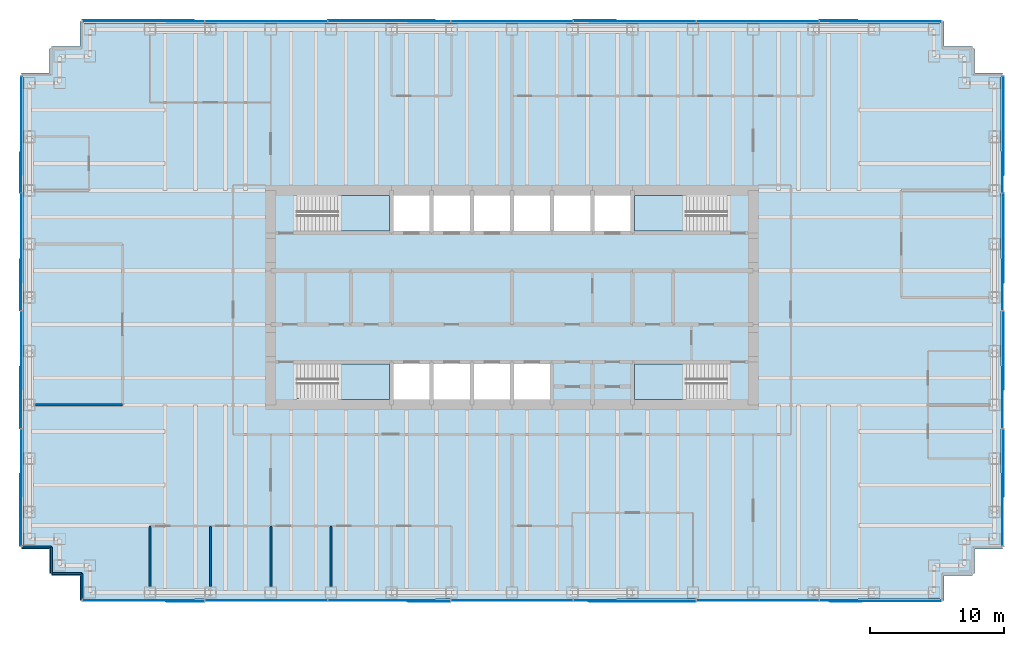
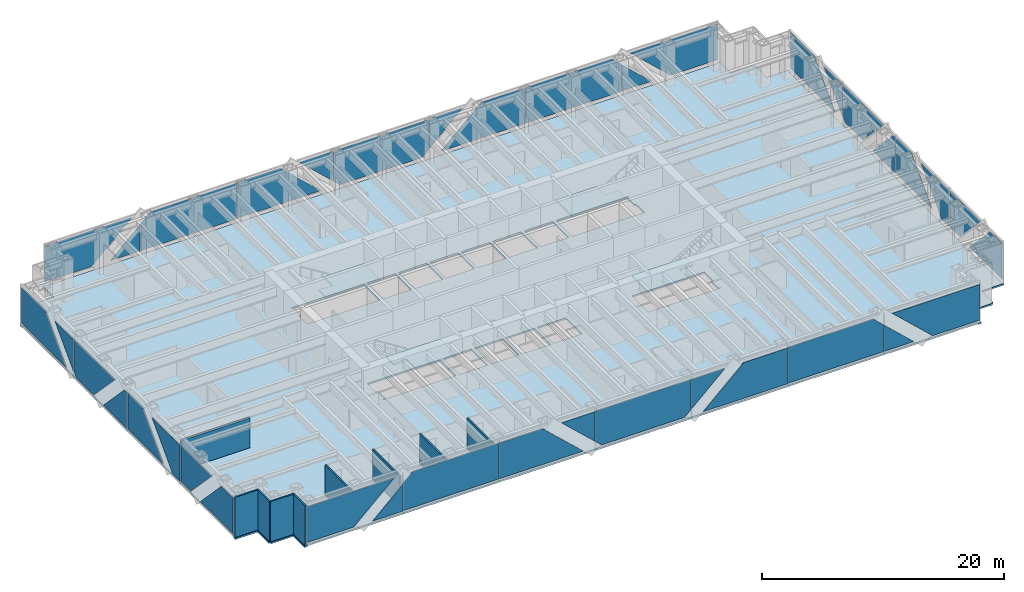
# One storey, part 10 of 15: 38 plates, 9 walls, 5 slabs, 8 elements without a shape of their own.
"""IFC4 building model written with IfcOpenShell, lengths in metres."""

from ifc_helpers import new_model, si_unit, direction, frame, frame_2d, origin, place, context, subcontext, project, spatial, polyline, rectangle, outline, extrude, material, layer, layer_set, type_object, element, aggregate, save


model = new_model("IFC4")

# Units and contexts
model_context = context("Model", 3, precision=1e-05, world=origin(), true_north=direction((0.0, 1.0)))
body_context = subcontext(model_context, "Body", "Model", "MODEL_VIEW")
ifc_project = project(units=[si_unit("LENGTHUNIT", "METRE"), si_unit("AREAUNIT", "SQUARE_METRE"), si_unit("VOLUMEUNIT", "CUBIC_METRE"), si_unit("PLANEANGLEUNIT", "RADIAN"), si_unit("MASSUNIT", "GRAM", prefix="KILO")], contexts=[model_context])

# Site, building, storey
site_placement = place(None, origin())
site = spatial("IfcSite", under=ifc_project, at=site_placement, CompositionType="ELEMENT")
building_placement = place(site_placement, origin())
building = spatial("IfcBuilding", under=site, at=building_placement, Name="Rheinbord Bourse Tower", CompositionType="ELEMENT")
storey_placement = place(building_placement, frame((0.0, 0.0, 248.800048828125)))
storey = spatial("IfcBuildingStorey", under=building, at=storey_placement, Name="L56", CompositionType="ELEMENT", Elevation=248.800048828125)

# Slab
ifc_material_1 = material(Name="Concrete C30/37", Category="concrete")
ifc_layer_1 = layer(ifc_material_1, 0.159912109375)
ifc_layer_set_1 = layer_set([ifc_layer_1], Name="COMPOSITE FLOOR SLAB 160")
slab_type_1 = type_object("IfcSlabType", Name="COMPOSITE FLOOR SLAB 160", PredefinedType="FLOOR", material=ifc_layer_set_1)
slab_1_placement = place(storey_placement, frame((0.0, 0.0, -0.16015625)))
element("IfcSlab", 1, at=slab_1_placement, inside=storey, type_object=slab_type_1, Name="Floor slab L56", PredefinedType="FLOOR", context=body_context, shape_type="SweptSolid", body=[
    extrude(outline(polyline([(1.64990234375, 3.39990234375), (1.5, 3.39990234375), (1.5, 5.25), (-0.60009765625, 5.25), (-0.60009765625, 5.550048828125), (-0.5, 5.550048828125), (-0.5, 40.449951171875), (-0.60009765625, 40.449951171875), (-0.60009765625, 40.75), (1.5, 40.75), (1.5, 42.60009765625), (1.64990234375, 42.60009765625), (1.64990234375, 42.75), (3.75, 42.75), (3.75, 44.60009765625), (4.050048828125, 44.60009765625), (4.050048828125, 44.5), (67.949951171875, 44.5), (67.949951171875, 44.60009765625), (68.25, 44.60009765625), (68.25, 42.75), (70.35009765625, 42.75), (70.35009765625, 42.60009765625), (70.5, 42.60009765625), (70.5, 40.75), (72.60009765625, 40.75), (72.60009765625, 40.449951171875), (72.5, 40.449951171875), (72.5, 5.550048828125), (72.60009765625, 5.550048828125), (72.60009765625, 5.25), (70.5, 5.25), (70.5, 3.39990234375), (70.35009765625, 3.39990234375), (70.35009765625, 3.25), (68.25, 3.25), (68.25, 1.39990234375), (67.949951171875, 1.39990234375), (67.949951171875, 1.5), (4.050048828125, 1.5), (4.050048828125, 1.39990234375), (3.75, 1.39990234375), (3.75, 3.25), (1.64990234375, 3.25), (1.64990234375, 3.39990234375)]), holes=[polyline([(19.949951171875, 19.050048828125), (26.85009765625, 19.050048828125), (26.85009765625, 16.39990234375), (19.949951171875, 16.39990234375), (19.949951171875, 16.449951171875), (20.10009765625, 16.449951171875), (20.10009765625, 17.64990234375), (19.949951171875, 17.64990234375), (19.949951171875, 19.050048828125)]), polyline([(19.949951171875, 31.60009765625), (26.85009765625, 31.60009765625), (26.85009765625, 28.949951171875), (19.949951171875, 28.949951171875), (19.949951171875, 30.35009765625), (20.10009765625, 30.35009765625), (20.10009765625, 31.550048828125), (19.949951171875, 31.550048828125), (19.949951171875, 31.60009765625)]), polyline([(52.050048828125, 16.39990234375), (45.14990234375, 16.39990234375), (45.14990234375, 19.050048828125), (52.050048828125, 19.050048828125), (52.050048828125, 17.64990234375), (51.89990234375, 17.64990234375), (51.89990234375, 16.449951171875), (52.050048828125, 16.449951171875), (52.050048828125, 16.39990234375)]), polyline([(52.050048828125, 28.949951171875), (45.14990234375, 28.949951171875), (45.14990234375, 31.60009765625), (52.050048828125, 31.60009765625), (52.050048828125, 31.550048828125), (51.89990234375, 31.550048828125), (51.89990234375, 30.35009765625), (52.050048828125, 30.35009765625), (52.050048828125, 28.949951171875)]), polyline([(27.14990234375, 16.39990234375), (27.14990234375, 19.050048828125), (29.85009765625, 19.050048828125), (29.85009765625, 16.39990234375), (27.14990234375, 16.39990234375)]), polyline([(27.14990234375, 28.949951171875), (27.14990234375, 31.60009765625), (29.85009765625, 31.60009765625), (29.85009765625, 28.949951171875), (27.14990234375, 28.949951171875)]), polyline([(30.14990234375, 16.39990234375), (30.14990234375, 19.050048828125), (32.85009765625, 19.050048828125), (32.85009765625, 16.39990234375), (30.14990234375, 16.39990234375)]), polyline([(30.14990234375, 28.949951171875), (30.14990234375, 31.60009765625), (32.85009765625, 31.60009765625), (32.85009765625, 28.949951171875), (30.14990234375, 28.949951171875)]), polyline([(33.14990234375, 16.39990234375), (33.14990234375, 19.050048828125), (35.85009765625, 19.050048828125), (35.85009765625, 16.39990234375), (33.14990234375, 16.39990234375)]), polyline([(33.14990234375, 28.949951171875), (33.14990234375, 31.60009765625), (35.85009765625, 31.60009765625), (35.85009765625, 28.949951171875), (33.14990234375, 28.949951171875)]), polyline([(36.14990234375, 16.39990234375), (36.14990234375, 19.050048828125), (38.85009765625, 19.050048828125), (38.85009765625, 16.39990234375), (36.14990234375, 16.39990234375)]), polyline([(36.14990234375, 28.949951171875), (36.14990234375, 31.60009765625), (38.85009765625, 31.60009765625), (38.85009765625, 28.949951171875), (36.14990234375, 28.949951171875)]), polyline([(39.14990234375, 28.949951171875), (39.14990234375, 31.60009765625), (41.85009765625, 31.60009765625), (41.85009765625, 28.949951171875), (39.14990234375, 28.949951171875)]), polyline([(42.14990234375, 28.949951171875), (42.14990234375, 31.60009765625), (44.85009765625, 31.60009765625), (44.85009765625, 28.949951171875), (42.14990234375, 28.949951171875)])]), origin(), (0.0, 0.0, 1.0), 0.16015625),
])

# Curtain wall, plates
ifc_material_2 = material(Name="Dark glass and black aluminium", Category="aluminium")
curtain_wall_type = type_object("IfcCurtainWallType", Name="CW2 DARK GLASS CURTAIN WALL", PredefinedType="USERDEFINED", material=ifc_material_2)
curtain_wall_1_placement = place(storey_placement, origin())
curtain_wall_1 = element("IfcCurtainWall", 2, at=curtain_wall_1_placement, inside=storey, type_object=curtain_wall_type, Name="Curtain wall CW2 S L56", ObjectType="UNITISED CURTAIN WALL", PredefinedType="USERDEFINED")
ifc_material_3 = material(Name="Dark tinted triple insulating glass", Category="glass")
ifc_layer_2 = layer(ifc_material_3, 0.050048828125)
ifc_layer_set_2 = layer_set([ifc_layer_2], Name="CW2 DARK GLASS PANEL")
plate_type = type_object("IfcPlateType", Name="CW2 DARK GLASS PANEL", PredefinedType="CURTAIN_PANEL", material=ifc_layer_set_2)
plate_1_placement = place(storey_placement, frame((3.969970703125, 1.375, 0.300048828125), z_axis=(0.0, 1.0, 0.0), x_axis=(0.0, 0.0, 1.0)))
plate_1 = element("IfcPlate", 3, at=plate_1_placement, type_object=plate_type, Name="CW2 glass facet 1", PredefinedType="CURTAIN_PANEL", context=body_context, shape_type="SweptSolid", body=[
    extrude(outline(polyline([(0.0, 0.0), (3.599853515625, 0.0), (3.599853515625, 8.322021484375), (0.0, 4.465087890625), (0.0, 0.0)])), origin(), (0.0, 0.0, 1.0), 0.050048828125),
])
plate_2_placement = place(storey_placement, frame((13.035888671875, 1.31982421875, 0.300048828125), z_axis=(0.0, 1.0, 0.0), x_axis=(-1.0, 0.0, 0.0)))
plate_2 = element("IfcPlate", 4, at=plate_2_placement, type_object=plate_type, Name="CW2 glass facet 2", PredefinedType="CURTAIN_PANEL", context=body_context, shape_type="SweptSolid", body=[
    extrude(outline(polyline([(0.0, 0.0), (2.827880859375, 0.0), (0.0, 2.639892578125), (0.0, 0.0)])), origin(), (0.0, 0.0, 1.0), 0.050048828125),
])
plate_3_placement = place(storey_placement, frame((22.2080078125, 1.375, 3.89990234375), z_axis=(0.0, 1.0, 0.0), x_axis=(0.0, 0.0, -1.0)))
plate_3 = element("IfcPlate", 5, at=plate_3_placement, type_object=plate_type, Name="CW2 glass facet 1", PredefinedType="CURTAIN_PANEL", context=body_context, shape_type="SweptSolid", body=[
    extrude(outline(polyline([(0.0, 0.0), (3.599853515625, 0.0), (3.599853515625, 9.10205078125), (0.89501953125, 9.10205078125), (0.0, 8.14306640625), (0.0, 0.0)])), origin(), (0.0, 0.0, 1.0), 0.050048828125),
])
plate_4_placement = place(storey_placement, frame((22.278076171875, 1.375, 0.300048828125), z_axis=(0.0, 1.0, 0.0), x_axis=(0.0, 0.0, 1.0)))
plate_4 = element("IfcPlate", 6, at=plate_4_placement, type_object=plate_type, Name="CW2 glass facet 1", PredefinedType="CURTAIN_PANEL", context=body_context, shape_type="SweptSolid", body=[
    extrude(outline(polyline([(0.0, 0.0), (3.599853515625, 0.0), (3.599853515625, 4.156982421875), (0.0, 8.013916015625), (0.0, 0.0)])), origin(), (0.0, 0.0, 1.0), 0.050048828125),
])
plate_5_placement = place(storey_placement, frame((31.37890625, 1.31982421875, 3.89990234375), z_axis=(0.0, 1.0, 0.0), x_axis=(0.0, 0.0, -1.0)))
plate_5 = element("IfcPlate", 7, at=plate_5_placement, type_object=plate_type, Name="CW2 glass facet 2", PredefinedType="CURTAIN_PANEL", context=body_context, shape_type="SweptSolid", body=[
    extrude(outline(polyline([(0.0, 0.0), (2.9599609375, 0.0), (0.0, 3.1708984375), (0.0, 0.0)])), origin(), (0.0, 0.0, 1.0), 0.050048828125),
])
plate_6_placement = place(storey_placement, frame((32.06494140625, 1.375, 0.300048828125), z_axis=(0.0, 1.0, 0.0), x_axis=(-0.731026361921, 0.0, 0.682349220104)))
plate_6 = element("IfcPlate", 8, at=plate_6_placement, type_object=plate_type, Name="CW2 glass facet 1", PredefinedType="CURTAIN_PANEL", context=body_context, shape_type="SweptSolid", body=[
    extrude(outline(polyline([(0.0, 0.0), (0.842529296875, 0.0), (2.90673828125, 2.211181640625), (-3.747314453125, 8.422119140625), (-5.811279296875, 6.210693359375), (-5.753173828125, 5.3701171875), (0.0, 0.0)])), origin(), (0.0, 0.0, 1.0), 0.050048828125),
])
plate_7_placement = place(storey_placement, frame((40.62109375, 1.375, 3.89990234375), z_axis=(0.0, 1.0, 0.0), x_axis=(1.0, 0.0, 0.0)))
plate_7 = element("IfcPlate", 9, at=plate_7_placement, type_object=plate_type, Name="CW2 glass facet 1", PredefinedType="CURTAIN_PANEL", context=body_context, shape_type="SweptSolid", body=[
    extrude(outline(polyline([(0.0, 0.0), (3.1708984375, 0.0), (0.0, 2.9599609375), (0.0, 0.0)])), origin(), (0.0, 0.0, 1.0), 0.050048828125),
])
plate_8_placement = place(storey_placement, frame((49.721923828125, 1.31982421875, 3.89990234375), z_axis=(0.0, 1.0, 0.0), x_axis=(0.0, 0.0, -1.0)))
plate_8 = element("IfcPlate", 10, at=plate_8_placement, type_object=plate_type, Name="CW2 glass facet 2", PredefinedType="CURTAIN_PANEL", context=body_context, shape_type="SweptSolid", body=[
    extrude(outline(polyline([(0.0, 0.0), (3.599853515625, 0.0), (3.599853515625, 8.013916015625), (0.0, 4.156982421875), (0.0, 0.0)])), origin(), (0.0, 0.0, 1.0), 0.050048828125),
])
plate_9_placement = place(storey_placement, frame((58.89404296875, 1.375, 0.300048828125), z_axis=(0.0, 1.0, 0.0), x_axis=(-1.0, 0.0, 0.0)))
plate_9 = element("IfcPlate", 11, at=plate_9_placement, type_object=plate_type, Name="CW2 glass facet 1", PredefinedType="CURTAIN_PANEL", context=body_context, shape_type="SweptSolid", body=[
    extrude(outline(polyline([(0.0, 0.0), (9.10205078125, 0.0), (9.10205078125, 3.599853515625), (0.958984375, 3.599853515625), (0.0, 2.704833984375), (0.0, 0.0)])), origin(), (0.0, 0.0, 1.0), 0.050048828125),
])
plate_10_placement = place(storey_placement, frame((58.964111328125, 1.375, 0.300048828125), z_axis=(0.0, 1.0, 0.0), x_axis=(0.0, 0.0, 1.0)))
plate_10 = element("IfcPlate", 12, at=plate_10_placement, type_object=plate_type, Name="CW2 glass facet 1", PredefinedType="CURTAIN_PANEL", context=body_context, shape_type="SweptSolid", body=[
    extrude(outline(polyline([(0.0, 0.0), (2.639892578125, 0.0), (0.0, 2.827880859375), (0.0, 0.0)])), origin(), (0.0, 0.0, 1.0), 0.050048828125),
])
plate_11_placement = place(storey_placement, frame((68.030029296875, 1.31982421875, 3.89990234375), z_axis=(0.0, 1.0, 0.0), x_axis=(0.0, 0.0, -1.0)))
plate_11 = element("IfcPlate", 13, at=plate_11_placement, type_object=plate_type, Name="CW2 glass facet 2", PredefinedType="CURTAIN_PANEL", context=body_context, shape_type="SweptSolid", body=[
    extrude(outline(polyline([(0.0, 0.0), (3.599853515625, 0.0), (3.599853515625, 4.465087890625), (0.0, 8.322021484375), (0.0, 0.0)])), origin(), (0.0, 0.0, 1.0), 0.050048828125),
])
aggregate(curtain_wall_1, [plate_1, plate_2, plate_3, plate_4, plate_5, plate_6, plate_7, plate_8, plate_9, plate_10, plate_11])

curtain_wall_2_placement = place(storey_placement, origin())
curtain_wall_2 = element("IfcCurtainWall", 14, at=curtain_wall_2_placement, inside=storey, type_object=curtain_wall_type, Name="Curtain wall CW2 E L56", ObjectType="UNITISED CURTAIN WALL", PredefinedType="USERDEFINED")
plate_12_placement = place(storey_placement, frame((72.625, 5.469970703125, 0.300048828125), z_axis=(-1.0, 0.0, 0.0), x_axis=(0.0, 0.0, 1.0)))
plate_12 = element("IfcPlate", 15, at=plate_12_placement, type_object=plate_type, Name="CW2 glass facet 1", PredefinedType="CURTAIN_PANEL", context=body_context, shape_type="SweptSolid", body=[
    extrude(outline(polyline([(0.0, 0.0), (3.599853515625, 0.0), (3.599853515625, 1.97998046875), (0.0, 5.408935546875), (0.0, 0.0)])), origin(), (0.0, 0.0, 1.0), 0.050048828125),
])
plate_13_placement = place(storey_placement, frame((72.68017578125, 14.1650390625, 3.89990234375), z_axis=(-1.0, 0.0, 0.0), x_axis=(0.0, 0.0, -1.0)))
plate_13 = element("IfcPlate", 16, at=plate_13_placement, type_object=plate_type, Name="CW2 glass facet 2", PredefinedType="CURTAIN_PANEL", context=body_context, shape_type="SweptSolid", body=[
    extrude(outline(polyline([(0.0, 0.0), (3.599853515625, 0.0), (3.599853515625, 1.614990234375), (0.0, 5.0439453125), (0.0, 0.0)])), origin(), (0.0, 0.0, 1.0), 0.050048828125),
])
plate_14_placement = place(storey_placement, frame((72.625, 14.235107421875, 0.300048828125), z_axis=(-1.0, 0.0, 0.0), x_axis=(0.0, 0.0, 1.0)))
plate_14 = element("IfcPlate", 17, at=plate_14_placement, type_object=plate_type, Name="CW2 glass facet 1", PredefinedType="CURTAIN_PANEL", context=body_context, shape_type="SweptSolid", body=[
    extrude(outline(polyline([(0.0, 0.0), (3.599853515625, 0.0), (3.599853515625, 4.643798828125), (0.0, 1.21484375), (0.0, 0.0)])), origin(), (0.0, 0.0, 1.0), 0.050048828125),
])
plate_15_placement = place(storey_placement, frame((72.68017578125, 22.965087890625, 3.89990234375), z_axis=(-1.0, 0.0, 0.0), x_axis=(0.0, 0.0, -1.0)))
plate_15 = element("IfcPlate", 18, at=plate_15_placement, type_object=plate_type, Name="CW2 glass facet 2", PredefinedType="CURTAIN_PANEL", context=body_context, shape_type="SweptSolid", body=[
    extrude(outline(polyline([(0.0, 0.0), (3.599853515625, 0.0), (3.599853515625, 5.843994140625), (0.0, 2.4150390625), (0.0, 0.0)])), origin(), (0.0, 0.0, 1.0), 0.050048828125),
])
plate_16_placement = place(storey_placement, frame((72.625, 23.034912109375, 0.300048828125), z_axis=(-1.0, 0.0, 0.0), x_axis=(0.0, 0.0, 1.0)))
plate_16 = element("IfcPlate", 19, at=plate_16_placement, type_object=plate_type, Name="CW2 glass facet 1", PredefinedType="CURTAIN_PANEL", context=body_context, shape_type="SweptSolid", body=[
    extrude(outline(polyline([(0.0, 0.0), (3.599853515625, 0.0), (3.599853515625, 0.4150390625), (0.0, 3.843994140625), (0.0, 0.0)])), origin(), (0.0, 0.0, 1.0), 0.050048828125),
])
plate_17_placement = place(storey_placement, frame((72.68017578125, 28.550048828125, 0.300048828125), z_axis=(-1.0, 0.0, 0.0), x_axis=(0.0, -0.689710350299, 0.724085376658)))
plate_17 = element("IfcPlate", 20, at=plate_17_placement, type_object=plate_type, Name="CW2 glass facet 2", PredefinedType="CURTAIN_PANEL", context=body_context, shape_type="SweptSolid", body=[
    extrude(outline(polyline([(0.0, 0.0), (4.9716796875, 0.0), (0.389404296875, 4.810791015625), (-1.977783203125, 2.555908203125), (-2.0, 2.099853515625), (0.0, 0.0)])), origin(), (0.0, 0.0, 1.0), 0.050048828125),
])
plate_18_placement = place(storey_placement, frame((72.625, 31.8349609375, 3.89990234375), z_axis=(-1.0, 0.0, 0.0), x_axis=(0.0, 1.0, 0.0)))
plate_18 = element("IfcPlate", 21, at=plate_18_placement, type_object=plate_type, Name="CW2 glass facet 1", PredefinedType="CURTAIN_PANEL", context=body_context, shape_type="SweptSolid", body=[
    extrude(outline(polyline([(0.0, 0.0), (3.0439453125, 0.0), (0.0, 3.196044921875), (0.0, 0.0)])), origin(), (0.0, 0.0, 1.0), 0.050048828125),
])
plate_19_placement = place(storey_placement, frame((72.68017578125, 40.530029296875, 3.89990234375), z_axis=(-1.0, 0.0, 0.0), x_axis=(0.0, 0.0, -1.0)))
plate_19 = element("IfcPlate", 22, at=plate_19_placement, type_object=plate_type, Name="CW2 glass facet 2", PredefinedType="CURTAIN_PANEL", context=body_context, shape_type="SweptSolid", body=[
    extrude(outline(polyline([(0.0, 0.0), (3.599853515625, 0.0), (3.599853515625, 7.408935546875), (0.0, 3.97998046875), (0.0, 0.0)])), origin(), (0.0, 0.0, 1.0), 0.050048828125),
])
aggregate(curtain_wall_2, [plate_12, plate_13, plate_14, plate_15, plate_16, plate_17, plate_18, plate_19])

curtain_wall_3_placement = place(storey_placement, origin())
curtain_wall_3 = element("IfcCurtainWall", 23, at=curtain_wall_3_placement, inside=storey, type_object=curtain_wall_type, Name="Curtain wall CW2 N L56", ObjectType="UNITISED CURTAIN WALL", PredefinedType="USERDEFINED")
plate_20_placement = place(storey_placement, frame((68.030029296875, 44.625, 0.300048828125), z_axis=(0.0, -1.0, 0.0), x_axis=(0.0, 0.0, 1.0)))
plate_20 = element("IfcPlate", 24, at=plate_20_placement, type_object=plate_type, Name="CW2 glass facet 1", PredefinedType="CURTAIN_PANEL", context=body_context, shape_type="SweptSolid", body=[
    extrude(outline(polyline([(0.0, 0.0), (3.599853515625, 0.0), (3.599853515625, 8.322021484375), (0.0, 4.465087890625), (0.0, 0.0)])), origin(), (0.0, 0.0, 1.0), 0.050048828125),
])
plate_21_placement = place(storey_placement, frame((58.964111328125, 44.68017578125, 0.300048828125), z_axis=(0.0, -1.0, 0.0), x_axis=(1.0, 0.0, 0.0)))
plate_21 = element("IfcPlate", 25, at=plate_21_placement, type_object=plate_type, Name="CW2 glass facet 2", PredefinedType="CURTAIN_PANEL", context=body_context, shape_type="SweptSolid", body=[
    extrude(outline(polyline([(0.0, 0.0), (2.827880859375, 0.0), (0.0, 2.639892578125), (0.0, 0.0)])), origin(), (0.0, 0.0, 1.0), 0.050048828125),
])
plate_22_placement = place(storey_placement, frame((49.7919921875, 44.625, 3.89990234375), z_axis=(0.0, -1.0, 0.0), x_axis=(0.0, 0.0, -1.0)))
plate_22 = element("IfcPlate", 26, at=plate_22_placement, type_object=plate_type, Name="CW2 glass facet 1", PredefinedType="CURTAIN_PANEL", context=body_context, shape_type="SweptSolid", body=[
    extrude(outline(polyline([(0.0, 0.0), (3.599853515625, 0.0), (3.599853515625, 9.10205078125), (0.89501953125, 9.10205078125), (0.0, 8.14306640625), (0.0, 0.0)])), origin(), (0.0, 0.0, 1.0), 0.050048828125),
])
plate_23_placement = place(storey_placement, frame((49.721923828125, 44.625, 0.300048828125), z_axis=(0.0, -1.0, 0.0), x_axis=(0.0, 0.0, 1.0)))
plate_23 = element("IfcPlate", 27, at=plate_23_placement, type_object=plate_type, Name="CW2 glass facet 1", PredefinedType="CURTAIN_PANEL", context=body_context, shape_type="SweptSolid", body=[
    extrude(outline(polyline([(0.0, 0.0), (3.599853515625, 0.0), (3.599853515625, 4.156982421875), (0.0, 8.013916015625), (0.0, 0.0)])), origin(), (0.0, 0.0, 1.0), 0.050048828125),
])
plate_24_placement = place(storey_placement, frame((40.62109375, 44.68017578125, 3.89990234375), z_axis=(0.0, -1.0, 0.0), x_axis=(0.0, 0.0, -1.0)))
plate_24 = element("IfcPlate", 28, at=plate_24_placement, type_object=plate_type, Name="CW2 glass facet 2", PredefinedType="CURTAIN_PANEL", context=body_context, shape_type="SweptSolid", body=[
    extrude(outline(polyline([(0.0, 0.0), (2.9599609375, 0.0), (0.0, 3.1708984375), (0.0, 0.0)])), origin(), (0.0, 0.0, 1.0), 0.050048828125),
])
plate_25_placement = place(storey_placement, frame((39.93505859375, 44.625, 0.300048828125), z_axis=(0.0, -1.0, 0.0), x_axis=(0.731026361921, 0.0, 0.682349220104)))
plate_25 = element("IfcPlate", 29, at=plate_25_placement, type_object=plate_type, Name="CW2 glass facet 1", PredefinedType="CURTAIN_PANEL", context=body_context, shape_type="SweptSolid", body=[
    extrude(outline(polyline([(0.0, 0.0), (0.842529296875, 0.0), (2.90673828125, 2.211181640625), (-3.747314453125, 8.422119140625), (-5.811279296875, 6.210693359375), (-5.753173828125, 5.3701171875), (0.0, 0.0)])), origin(), (0.0, 0.0, 1.0), 0.050048828125),
])
plate_26_placement = place(storey_placement, frame((31.37890625, 44.625, 3.89990234375), z_axis=(0.0, -1.0, 0.0), x_axis=(-1.0, 0.0, 0.0)))
plate_26 = element("IfcPlate", 30, at=plate_26_placement, type_object=plate_type, Name="CW2 glass facet 1", PredefinedType="CURTAIN_PANEL", context=body_context, shape_type="SweptSolid", body=[
    extrude(outline(polyline([(0.0, 0.0), (3.1708984375, 0.0), (0.0, 2.9599609375), (0.0, 0.0)])), origin(), (0.0, 0.0, 1.0), 0.050048828125),
])
plate_27_placement = place(storey_placement, frame((22.278076171875, 44.68017578125, 3.89990234375), z_axis=(0.0, -1.0, 0.0), x_axis=(0.0, 0.0, -1.0)))
plate_27 = element("IfcPlate", 31, at=plate_27_placement, type_object=plate_type, Name="CW2 glass facet 2", PredefinedType="CURTAIN_PANEL", context=body_context, shape_type="SweptSolid", body=[
    extrude(outline(polyline([(0.0, 0.0), (3.599853515625, 0.0), (3.599853515625, 8.013916015625), (0.0, 4.156982421875), (0.0, 0.0)])), origin(), (0.0, 0.0, 1.0), 0.050048828125),
])
plate_28_placement = place(storey_placement, frame((13.10595703125, 44.625, 0.300048828125), z_axis=(0.0, -1.0, 0.0), x_axis=(1.0, 0.0, 0.0)))
plate_28 = element("IfcPlate", 32, at=plate_28_placement, type_object=plate_type, Name="CW2 glass facet 1", PredefinedType="CURTAIN_PANEL", context=body_context, shape_type="SweptSolid", body=[
    extrude(outline(polyline([(0.0, 0.0), (9.10205078125, 0.0), (9.10205078125, 3.599853515625), (0.958984375, 3.599853515625), (0.0, 2.704833984375), (0.0, 0.0)])), origin(), (0.0, 0.0, 1.0), 0.050048828125),
])
plate_29_placement = place(storey_placement, frame((13.035888671875, 44.625, 0.300048828125), z_axis=(0.0, -1.0, 0.0), x_axis=(0.0, 0.0, 1.0)))
plate_29 = element("IfcPlate", 33, at=plate_29_placement, type_object=plate_type, Name="CW2 glass facet 1", PredefinedType="CURTAIN_PANEL", context=body_context, shape_type="SweptSolid", body=[
    extrude(outline(polyline([(0.0, 0.0), (2.639892578125, 0.0), (0.0, 2.827880859375), (0.0, 0.0)])), origin(), (0.0, 0.0, 1.0), 0.050048828125),
])
plate_30_placement = place(storey_placement, frame((3.969970703125, 44.68017578125, 3.89990234375), z_axis=(0.0, -1.0, 0.0), x_axis=(0.0, 0.0, -1.0)))
plate_30 = element("IfcPlate", 34, at=plate_30_placement, type_object=plate_type, Name="CW2 glass facet 2", PredefinedType="CURTAIN_PANEL", context=body_context, shape_type="SweptSolid", body=[
    extrude(outline(polyline([(0.0, 0.0), (3.599853515625, 0.0), (3.599853515625, 4.465087890625), (0.0, 8.322021484375), (0.0, 0.0)])), origin(), (0.0, 0.0, 1.0), 0.050048828125),
])
aggregate(curtain_wall_3, [plate_20, plate_21, plate_22, plate_23, plate_24, plate_25, plate_26, plate_27, plate_28, plate_29, plate_30])

curtain_wall_4_placement = place(storey_placement, origin())
curtain_wall_4 = element("IfcCurtainWall", 35, at=curtain_wall_4_placement, inside=storey, type_object=curtain_wall_type, Name="Curtain wall CW2 W L56", ObjectType="UNITISED CURTAIN WALL", PredefinedType="USERDEFINED")
plate_31_placement = place(storey_placement, frame((-0.625, 40.530029296875, 0.300048828125), z_axis=(1.0, 0.0, 0.0), x_axis=(0.0, 0.0, 1.0)))
plate_31 = element("IfcPlate", 36, at=plate_31_placement, type_object=plate_type, Name="CW2 glass facet 1", PredefinedType="CURTAIN_PANEL", context=body_context, shape_type="SweptSolid", body=[
    extrude(outline(polyline([(0.0, 0.0), (3.599853515625, 0.0), (3.599853515625, 3.97998046875), (0.0, 7.408935546875), (0.0, 0.0)])), origin(), (0.0, 0.0, 1.0), 0.050048828125),
])
plate_32_placement = place(storey_placement, frame((-0.68017578125, 31.8349609375, 3.89990234375), z_axis=(1.0, 0.0, 0.0), x_axis=(0.0, 0.0, -1.0)))
plate_32 = element("IfcPlate", 37, at=plate_32_placement, type_object=plate_type, Name="CW2 glass facet 2", PredefinedType="CURTAIN_PANEL", context=body_context, shape_type="SweptSolid", body=[
    extrude(outline(polyline([(0.0, 0.0), (3.196044921875, 0.0), (0.0, 3.0439453125), (0.0, 0.0)])), origin(), (0.0, 0.0, 1.0), 0.050048828125),
])
plate_33_placement = place(storey_placement, frame((-0.625, 31.449951171875, 0.300048828125), z_axis=(1.0, 0.0, 0.0), x_axis=(0.0, 0.689521691357, 0.724265032394)))
plate_33 = element("IfcPlate", 38, at=plate_33_placement, type_object=plate_type, Name="CW2 glass facet 1", PredefinedType="CURTAIN_PANEL", context=body_context, shape_type="SweptSolid", body=[
    extrude(outline(polyline([(0.0, 0.0), (0.456787109375, 0.0), (2.824462890625, 2.254150390625), (-1.756591796875, 7.06591796875), (-1.99951171875, 2.100341796875), (0.0, 0.0)])), origin(), (0.0, 0.0, 1.0), 0.050048828125),
])
plate_34_placement = place(storey_placement, frame((-0.68017578125, 23.034912109375, 3.89990234375), z_axis=(1.0, 0.0, 0.0), x_axis=(0.0, 0.0, -1.0)))
plate_34 = element("IfcPlate", 39, at=plate_34_placement, type_object=plate_type, Name="CW2 glass facet 2", PredefinedType="CURTAIN_PANEL", context=body_context, shape_type="SweptSolid", body=[
    extrude(outline(polyline([(0.0, 0.0), (3.599853515625, 0.0), (3.599853515625, 3.843994140625), (0.0, 0.4150390625), (0.0, 0.0)])), origin(), (0.0, 0.0, 1.0), 0.050048828125),
])
plate_35_placement = place(storey_placement, frame((-0.625, 22.965087890625, 0.300048828125), z_axis=(1.0, 0.0, 0.0), x_axis=(0.0, 0.0, 1.0)))
plate_35 = element("IfcPlate", 40, at=plate_35_placement, type_object=plate_type, Name="CW2 glass facet 1", PredefinedType="CURTAIN_PANEL", context=body_context, shape_type="SweptSolid", body=[
    extrude(outline(polyline([(0.0, 0.0), (3.599853515625, 0.0), (3.599853515625, 2.4150390625), (0.0, 5.843994140625), (0.0, 0.0)])), origin(), (0.0, 0.0, 1.0), 0.050048828125),
])
plate_36_placement = place(storey_placement, frame((-0.68017578125, 14.235107421875, 3.89990234375), z_axis=(1.0, 0.0, 0.0), x_axis=(0.0, 0.0, -1.0)))
plate_36 = element("IfcPlate", 41, at=plate_36_placement, type_object=plate_type, Name="CW2 glass facet 2", PredefinedType="CURTAIN_PANEL", context=body_context, shape_type="SweptSolid", body=[
    extrude(outline(polyline([(0.0, 0.0), (3.599853515625, 0.0), (3.599853515625, 1.21484375), (0.0, 4.643798828125), (0.0, 0.0)])), origin(), (0.0, 0.0, 1.0), 0.050048828125),
])
plate_37_placement = place(storey_placement, frame((-0.625, 14.1650390625, 0.300048828125), z_axis=(1.0, 0.0, 0.0), x_axis=(0.0, 0.0, 1.0)))
plate_37 = element("IfcPlate", 42, at=plate_37_placement, type_object=plate_type, Name="CW2 glass facet 1", PredefinedType="CURTAIN_PANEL", context=body_context, shape_type="SweptSolid", body=[
    extrude(outline(polyline([(0.0, 0.0), (3.599853515625, 0.0), (3.599853515625, 5.0439453125), (0.0, 1.614990234375), (0.0, 0.0)])), origin(), (0.0, 0.0, 1.0), 0.050048828125),
])
plate_38_placement = place(storey_placement, frame((-0.68017578125, 5.469970703125, 3.89990234375), z_axis=(1.0, 0.0, 0.0), x_axis=(0.0, 0.0, -1.0)))
plate_38 = element("IfcPlate", 43, at=plate_38_placement, type_object=plate_type, Name="CW2 glass facet 2", PredefinedType="CURTAIN_PANEL", context=body_context, shape_type="SweptSolid", body=[
    extrude(outline(polyline([(0.0, 0.0), (3.599853515625, 0.0), (3.599853515625, 5.408935546875), (0.0, 1.97998046875), (0.0, 0.0)])), origin(), (0.0, 0.0, 1.0), 0.050048828125),
])
aggregate(curtain_wall_4, [plate_31, plate_32, plate_33, plate_34, plate_35, plate_36, plate_37, plate_38])

# Stair, slab
ifc_material_4 = material(Name="Concrete C30/37", Category="concrete")
stair_type = type_object("IfcStairType", Name="CORE STAIR HALF TURN 4200", PredefinedType="HALF_TURN_STAIR", material=ifc_material_4)
stair_1_placement = place(storey_placement, origin())
stair_1 = element("IfcStair", 44, at=stair_1_placement, inside=storey, type_object=stair_type, Name="Stair ST1 L56, type CS6", PredefinedType="HALF_TURN_STAIR")
ifc_material_5 = material(Name="Concrete C30/37", Category="concrete")
ifc_layer_3 = layer(ifc_material_5, 0.199951171875)
ifc_layer_set_3 = layer_set([ifc_layer_3], Name="STAIR LANDING 200")
slab_type_2 = type_object("IfcSlabType", Name="STAIR LANDING 200", PredefinedType="LANDING", material=ifc_layer_set_3)
slab_2_placement = place(storey_placement, frame((0.0, 0.0, 1.89990234375)))
slab_2 = element("IfcSlab", 45, at=slab_2_placement, type_object=slab_type_2, Name="Half landing ST1 L56", PredefinedType="LANDING", context=body_context, shape_type="SweptSolid", body=[
    extrude(outline(polyline([(23.030029296875, 16.39990234375), (26.85009765625, 16.39990234375), (26.85009765625, 19.050048828125), (21.748046875, 19.050048828125), (21.748046875, 17.85009765625), (23.030029296875, 17.85009765625), (23.030029296875, 16.39990234375)])), origin(), (0.0, 0.0, 1.0), 0.199951171875),
])
aggregate(stair_1, [slab_2])

stair_2_placement = place(storey_placement, origin())
stair_2 = element("IfcStair", 46, at=stair_2_placement, inside=storey, type_object=stair_type, Name="Stair ST2 L56, type CS6", PredefinedType="HALF_TURN_STAIR")
slab_3_placement = place(storey_placement, frame((0.0, 0.0, 1.89990234375)))
slab_3 = element("IfcSlab", 47, at=slab_3_placement, type_object=slab_type_2, Name="Half landing ST2 L56", PredefinedType="LANDING", context=body_context, shape_type="SweptSolid", body=[
    extrude(outline(polyline([(21.748046875, 28.949951171875), (26.85009765625, 28.949951171875), (26.85009765625, 31.60009765625), (23.030029296875, 31.60009765625), (23.030029296875, 30.14990234375), (21.748046875, 30.14990234375), (21.748046875, 28.949951171875)])), origin(), (0.0, 0.0, 1.0), 0.199951171875),
])
aggregate(stair_2, [slab_3])

stair_3_placement = place(storey_placement, origin())
stair_3 = element("IfcStair", 48, at=stair_3_placement, inside=storey, type_object=stair_type, Name="Stair ST3 L56, type CS6", PredefinedType="HALF_TURN_STAIR")
slab_4_placement = place(storey_placement, frame((0.0, 0.0, 1.89990234375)))
slab_4 = element("IfcSlab", 49, at=slab_4_placement, type_object=slab_type_2, Name="Half landing ST3 L56", PredefinedType="LANDING", context=body_context, shape_type="SweptSolid", body=[
    extrude(outline(polyline([(45.14990234375, 16.39990234375), (48.969970703125, 16.39990234375), (48.969970703125, 17.85009765625), (50.251953125, 17.85009765625), (50.251953125, 19.050048828125), (45.14990234375, 19.050048828125), (45.14990234375, 16.39990234375)])), origin(), (0.0, 0.0, 1.0), 0.199951171875),
])
aggregate(stair_3, [slab_4])

stair_4_placement = place(storey_placement, origin())
stair_4 = element("IfcStair", 50, at=stair_4_placement, inside=storey, type_object=stair_type, Name="Stair ST4 L56, type CS6", PredefinedType="HALF_TURN_STAIR")
slab_5_placement = place(storey_placement, frame((0.0, 0.0, 1.89990234375)))
slab_5 = element("IfcSlab", 51, at=slab_5_placement, type_object=slab_type_2, Name="Half landing ST4 L56", PredefinedType="LANDING", context=body_context, shape_type="SweptSolid", body=[
    extrude(outline(polyline([(45.14990234375, 28.949951171875), (50.251953125, 28.949951171875), (50.251953125, 30.14990234375), (48.969970703125, 30.14990234375), (48.969970703125, 31.60009765625), (45.14990234375, 31.60009765625), (45.14990234375, 28.949951171875)])), origin(), (0.0, 0.0, 1.0), 0.199951171875),
])
aggregate(stair_4, [slab_5])

# Walls
ifc_material_6 = material(Name="Acoustic gypsum board partition", Category="gypsum board")
ifc_layer_4 = layer(ifc_material_6, 0.199951171875)
ifc_layer_set_4 = layer_set([ifc_layer_4], Name="ACOUSTIC PARTITION 200")
wall_type_1 = type_object("IfcWallType", Name="ACOUSTIC PARTITION 200", PredefinedType="PARTITIONING", material=ifc_layer_set_4)
wall_1_placement = place(storey_placement, frame((0.449951171875, 16.0, 0.0), z_axis=(0.0, 0.0, 1.0), x_axis=(1.0, 0.0, 0.0)))
element("IfcWall", 52, at=wall_1_placement, inside=storey, type_object=wall_type_1, Name="Partition L56-06", PredefinedType="PARTITIONING", context=body_context, shape_type="SweptSolid", body=[
    extrude(rectangle(XDim=6.5, YDim=0.199951171875, at=frame_2d((3.25, 0.0))), origin(), (0.0, 0.0, 1.0), 3.0),
])
ifc_material_7 = material(Name="Black metal rainscreen panel", Category="aluminium")
ifc_layer_5 = layer(ifc_material_7, 0.14990234375)
ifc_layer_set_5 = layer_set([ifc_layer_5], Name="CORNER PIER CLADDING 150")
wall_type_2 = type_object("IfcWallType", Name="CORNER PIER CLADDING 150", PredefinedType="ELEMENTEDWALL", material=ifc_layer_set_5)
wall_2_placement = place(storey_placement, frame((-0.60009765625, 5.39990234375, 0.0), z_axis=(0.0, 0.0, 1.0), x_axis=(1.0, 0.0, 0.0)))
element("IfcWall", 53, at=wall_2_placement, inside=storey, type_object=wall_type_2, Name="Corner pier cladding L56 17", PredefinedType="ELEMENTEDWALL", context=body_context, shape_type="SweptSolid", body=[
    extrude(rectangle(XDim=2.25, YDim=0.14990234375, at=frame_2d((1.125, 0.0))), origin(), (0.0, 0.0, 1.0), 4.0400390625),
])
wall_3_placement = place(storey_placement, frame((1.64990234375, 5.39990234375, 0.0), z_axis=(0.0, 0.0, 1.0), x_axis=(0.0, -1.0, 0.0)))
element("IfcWall", 54, at=wall_3_placement, inside=storey, type_object=wall_type_2, Name="Corner pier cladding L56 18", PredefinedType="ELEMENTEDWALL", context=body_context, shape_type="SweptSolid", body=[
    extrude(rectangle(XDim=2.0, YDim=0.14990234375, at=frame_2d((1.0, 0.0))), origin(), (0.0, 0.0, 1.0), 4.0400390625),
])
wall_4_placement = place(storey_placement, frame((1.64990234375, 3.39990234375, 0.0), z_axis=(0.0, 0.0, 1.0), x_axis=(1.0, 0.0, 0.0)))
element("IfcWall", 55, at=wall_4_placement, inside=storey, type_object=wall_type_2, Name="Corner pier cladding L56 19", PredefinedType="ELEMENTEDWALL", context=body_context, shape_type="SweptSolid", body=[
    extrude(rectangle(XDim=2.25, YDim=0.14990234375, at=frame_2d((1.125, 0.0))), origin(), (0.0, 0.0, 1.0), 4.0400390625),
])
wall_5_placement = place(storey_placement, frame((3.89990234375, 3.39990234375, 0.0), z_axis=(0.0, 0.0, 1.0), x_axis=(0.0, -1.0, 0.0)))
element("IfcWall", 56, at=wall_5_placement, inside=storey, type_object=wall_type_2, Name="Corner pier cladding L56 20", PredefinedType="ELEMENTEDWALL", context=body_context, shape_type="SweptSolid", body=[
    extrude(rectangle(XDim=2.0, YDim=0.14990234375, at=frame_2d((1.0, 0.0))), origin(), (0.0, 0.0, 1.0), 4.0400390625),
])
ifc_material_8 = material(Name="Gypsum board partition", Category="gypsum board")
ifc_layer_6 = layer(ifc_material_8, 0.14990234375)
ifc_layer_set_6 = layer_set([ifc_layer_6], Name="PARTITION 150")
wall_type_3 = type_object("IfcWallType", Name="PARTITION 150", PredefinedType="PARTITIONING", material=ifc_layer_set_6)
for number, where, z_axis, x_axis, name in (
    (57, (9.0, 2.449951171875, 0.0), (0.0, 0.0, 1.0), (0.0, 1.0, 0.0), "Partition L56-21"),
    (58, (13.5, 2.449951171875, 0.0), (0.0, 0.0, 1.0), (0.0, 1.0, 0.0), "Partition L56-23"),
    (59, (18.0, 2.449951171875, 0.0), (0.0, 0.0, 1.0), (0.0, 1.0, 0.0), "Partition L56-25"),
    (60, (22.5, 2.449951171875, 0.0), (0.0, 0.0, 1.0), (0.0, 1.0, 0.0), "Partition L56-28"),
):
    element("IfcWall", number, at=place(storey_placement, frame(where, z_axis=z_axis, x_axis=x_axis)), inside=storey, type_object=wall_type_3, Name=name, PredefinedType="PARTITIONING", context=body_context, shape_type="SweptSolid", body=[
        extrude(rectangle(XDim=4.5, YDim=0.14990234375, at=frame_2d((2.25, 0.0))), origin(), (0.0, 0.0, 1.0), 3.0),
    ])

save(model, "model.ifc")
